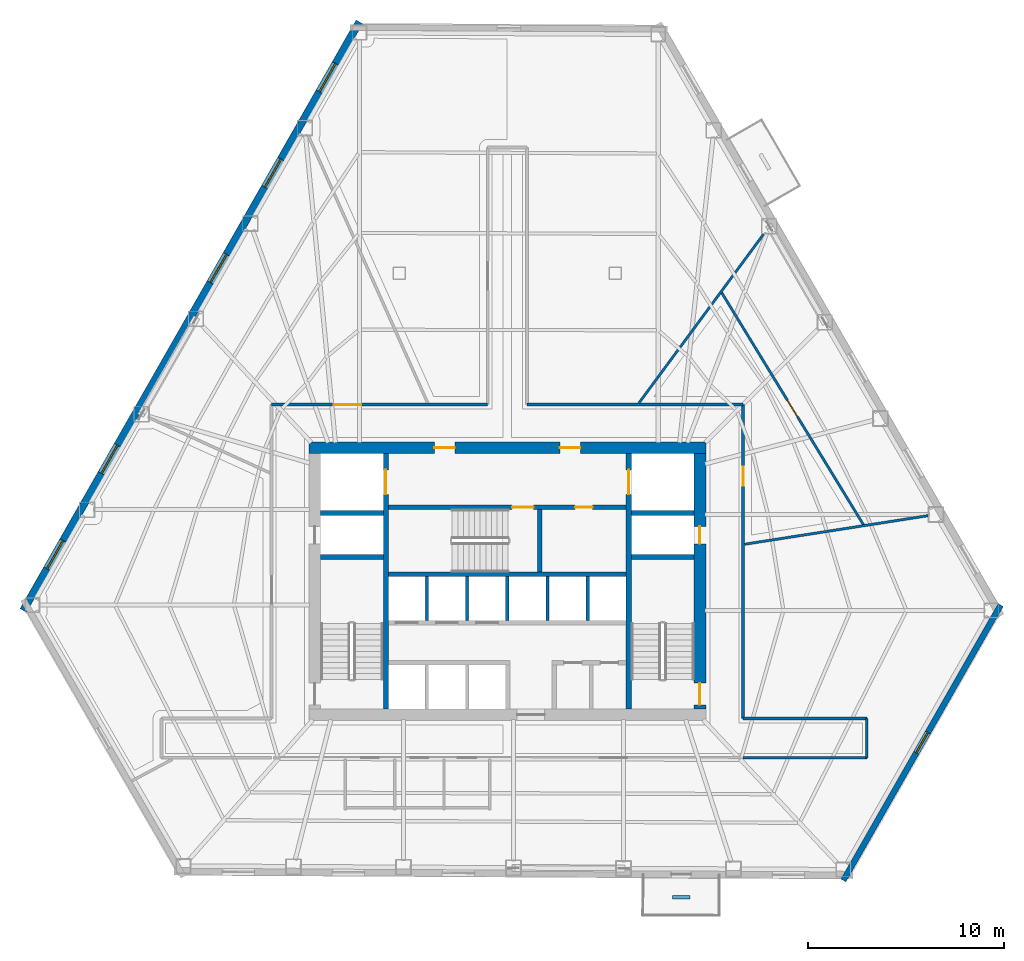
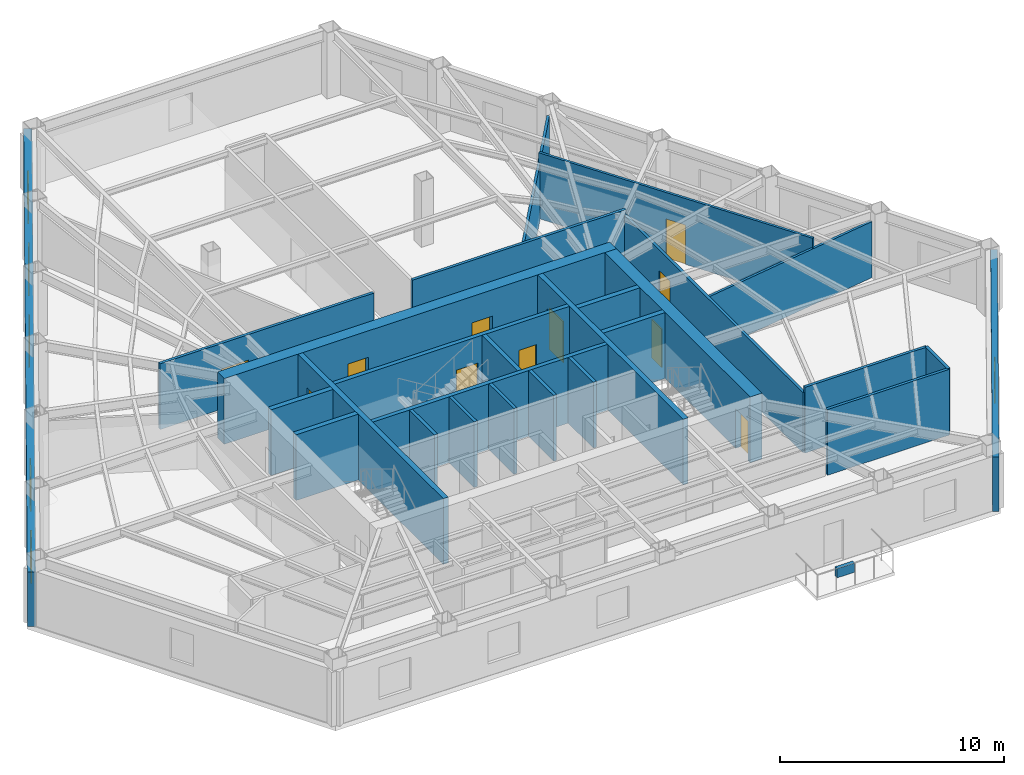
# One storey, part 7 of 12: 28 walls, 11 doors, 6 windows, 17 openings.
"""IFC4 building model written with IfcOpenShell, lengths in metres."""

from ifc_helpers import new_model, si_unit, direction, frame, frame_2d, origin, place, context, subcontext, project, spatial, rectangle, extrude, material, layer, layer_set, type_object, element, fill, save


model = new_model("IFC4")

# Units and contexts
model_context = context("Model", 3, precision=1e-05, world=origin(), true_north=direction((0.0, 1.0)))
body_context = subcontext(model_context, "Body", "Model", "MODEL_VIEW")
ifc_project = project(units=[si_unit("LENGTHUNIT", "METRE"), si_unit("AREAUNIT", "SQUARE_METRE"), si_unit("VOLUMEUNIT", "CUBIC_METRE"), si_unit("PLANEANGLEUNIT", "RADIAN"), si_unit("MASSUNIT", "GRAM", prefix="KILO")], contexts=[model_context])

# Site, building, storey
site_placement = place(None, origin())
site = spatial("IfcSite", under=ifc_project, at=site_placement, CompositionType="ELEMENT")
building_placement = place(site_placement, origin())
building = spatial("IfcBuilding", under=site, at=building_placement, Name="Kavelnor Concourse Tower", CompositionType="ELEMENT")
storey_placement = place(building_placement, frame((0.0, 0.0, 40.64990234375)))
storey = spatial("IfcBuildingStorey", under=building, at=storey_placement, Name="L10", CompositionType="ELEMENT", Elevation=40.64990234375)

# Wall, openings, doors
ifc_material_1 = material(Name="Concrete C60/75", Category="concrete")
ifc_layer_1 = layer(ifc_material_1, 0.60009765625, Name="Concrete C60/75")
ifc_layer_set_1 = layer_set([ifc_layer_1], Name="Concrete C60/75")
wall_type_1 = type_object("IfcWallType", Name="WL-CORE-Z1-600", PredefinedType="SOLIDWALL", material=ifc_layer_set_1)
wall_1_placement = place(storey_placement, frame((27.8798828125, 22.89990234375, 0.0), z_axis=(0.0, 0.0, 1.0), x_axis=(1.0, 0.0, 0.0)))
wall_1 = element("IfcWall", 1, at=wall_1_placement, inside=storey, type_object=wall_type_1, Name="L10 Central Core North Shear Wall", PredefinedType="SOLIDWALL", context=body_context, shape_type="SweptSolid", body=[
    extrude(rectangle(XDim=20.240234375, YDim=0.60009765625, at=frame_2d((10.1201171875, 0.0))), origin(), (0.0, 0.0, 1.0), 3.590087890625),
])
opening_1_placement = place(wall_1_placement, frame((6.39501953125, 0.0, 0.0)))
opening_1 = element("IfcOpeningElement", 2, at=opening_1_placement, cuts=wall_1, Name="Opening FD-105", PredefinedType="OPENING", context=body_context, shape_type="SweptSolid", body=[
    extrude(rectangle(XDim=1.050048828125, YDim=2.14990234375, at=frame_2d((0.52490234375, 1.074951171875))), frame((0.0, 0.31005859375, 0.0), z_axis=(0.0, -1.0, 0.0), x_axis=(1.0, 0.0, 0.0)), (0.0, 0.0, 1.0), 0.6201171875),
])
opening_2_placement = place(wall_1_placement, frame((12.794921875, 0.0, 0.0)))
opening_2 = element("IfcOpeningElement", 3, at=opening_2_placement, cuts=wall_1, Name="Opening FD-105", PredefinedType="OPENING", context=body_context, shape_type="SweptSolid", body=[
    extrude(rectangle(XDim=1.050048828125, YDim=2.14990234375, at=frame_2d((0.52490234375, 1.074951171875))), frame((0.0, 0.31005859375, 0.0), z_axis=(0.0, -1.0, 0.0), x_axis=(1.0, 0.0, 0.0)), (0.0, 0.0, 1.0), 0.6201171875),
])
ifc_material_2 = material(Name="Steel Grade 350", Category="steel")
door_type_1 = type_object("IfcDoorType", Name="DR-LOBBY-FIRE-1050", OperationType="NOTDEFINED", PredefinedType="DOOR", material=ifc_material_2)
door_1_placement = place(opening_1_placement, origin())
door_1 = element("IfcDoor", 4, at=door_1_placement, inside=storey, type_object=door_type_1, Name="L10 Emergency Lift Lobby West Door", OperationType="SINGLE_SWING_LEFT", OverallHeight=2.14990234375, OverallWidth=1.050048828125, PredefinedType="DOOR", context=body_context, shape_type="SweptSolid", body=[
    extrude(rectangle(XDim=1.050048828125, YDim=2.14990234375, at=frame_2d((0.52490234375, 1.074951171875))), frame((0.0, 0.02490234375, 0.0), z_axis=(0.0, -1.0, 0.0), x_axis=(1.0, 0.0, 0.0)), (0.0, 0.0, 1.0), 0.050048828125),
])
fill(opening_1, door_1)
door_2_placement = place(opening_2_placement, origin())
door_2 = element("IfcDoor", 5, at=door_2_placement, inside=storey, type_object=door_type_1, Name="L10 Emergency Lift Lobby East Door", OperationType="SINGLE_SWING_RIGHT", OverallHeight=2.14990234375, OverallWidth=1.050048828125, PredefinedType="DOOR", context=body_context, shape_type="SweptSolid", body=[
    extrude(rectangle(XDim=1.050048828125, YDim=2.14990234375, at=frame_2d((0.52490234375, 1.074951171875))), frame((0.0, 0.02490234375, 0.0), z_axis=(0.0, -1.0, 0.0), x_axis=(1.0, 0.0, 0.0)), (0.0, 0.0, 1.0), 0.050048828125),
])
fill(opening_2, door_2)

wall_2_placement = place(storey_placement, frame((47.820068359375, 9.60009765625, 0.0), z_axis=(0.0, 0.0, 1.0), x_axis=(0.0, 1.0, 0.0)))
wall_2 = element("IfcWall", 6, at=wall_2_placement, inside=storey, type_object=wall_type_1, Name="L10 Central Core East Shear Wall", PredefinedType="SOLIDWALL", context=body_context, shape_type="SweptSolid", body=[
    extrude(rectangle(XDim=13.0, YDim=0.60009765625, at=frame_2d((6.5, 0.0))), origin(), (0.0, 0.0, 1.0), 3.590087890625),
])
opening_3_placement = place(wall_2_placement, frame((0.199951171875, 0.0, 0.0)))
opening_3 = element("IfcOpeningElement", 7, at=opening_3_placement, cuts=wall_2, Name="Opening FD-110", PredefinedType="OPENING", context=body_context, shape_type="SweptSolid", body=[
    extrude(rectangle(XDim=1.10009765625, YDim=2.14990234375, at=frame_2d((0.550048828125, 1.074951171875))), frame((0.0, 0.31005859375, 0.0), z_axis=(0.0, -1.0, 0.0), x_axis=(1.0, 0.0, 0.0)), (0.0, 0.0, 1.0), 0.6201171875),
])
opening_4_placement = place(wall_2_placement, frame((8.39990234375, 0.0, 0.0)))
opening_4 = element("IfcOpeningElement", 8, at=opening_4_placement, cuts=wall_2, Name="Opening FD-090", PredefinedType="OPENING", context=body_context, shape_type="SweptSolid", body=[
    extrude(rectangle(XDim=0.89990234375, YDim=2.10009765625, at=frame_2d((0.449951171875, 1.050048828125))), frame((0.0, 0.31005859375, 0.0), z_axis=(0.0, -1.0, 0.0), x_axis=(1.0, 0.0, 0.0)), (0.0, 0.0, 1.0), 0.6201171875),
])
door_type_2 = type_object("IfcDoorType", Name="DR-RISER-FIRE-900", OperationType="NOTDEFINED", PredefinedType="DOOR", material=ifc_material_2)
door_3_placement = place(opening_4_placement, origin())
door_3 = element("IfcDoor", 9, at=door_3_placement, inside=storey, type_object=door_type_2, Name="L10 East Riser Access Door", OperationType="SINGLE_SWING_LEFT", OverallHeight=2.10009765625, OverallWidth=0.89990234375, PredefinedType="DOOR", context=body_context, shape_type="SweptSolid", body=[
    extrude(rectangle(XDim=0.89990234375, YDim=2.10009765625, at=frame_2d((0.449951171875, 1.050048828125))), frame((0.0, 0.02490234375, 0.0), z_axis=(0.0, -1.0, 0.0), x_axis=(1.0, 0.0, 0.0)), (0.0, 0.0, 1.0), 0.050048828125),
])
fill(opening_4, door_3)
door_type_3 = type_object("IfcDoorType", Name="DR-STAIR-FIRE-1100", OperationType="NOTDEFINED", PredefinedType="DOOR", material=ifc_material_2)
door_4_placement = place(opening_3_placement, origin())
door_4 = element("IfcDoor", 10, at=door_4_placement, inside=storey, type_object=door_type_3, Name="L10 Stair ST2 Fire Door", OperationType="SINGLE_SWING_RIGHT", OverallHeight=2.14990234375, OverallWidth=1.10009765625, PredefinedType="DOOR", context=body_context, shape_type="SweptSolid", body=[
    extrude(rectangle(XDim=1.10009765625, YDim=2.14990234375, at=frame_2d((0.550048828125, 1.074951171875))), frame((0.0, 0.02490234375, 0.0), z_axis=(0.0, -1.0, 0.0), x_axis=(1.0, 0.0, 0.0)), (0.0, 0.0, 1.0), 0.050048828125),
])
fill(opening_3, door_4)

# Wall, opening, window
ifc_material_3 = material(Name="Buff ironspot clay face brick masonry", Category="masonry")
ifc_layer_2 = layer(ifc_material_3, 0.300048828125, Name="Buff ironspot clay face brick masonry")
ifc_layer_set_2 = layer_set([ifc_layer_2], Name="Buff ironspot clay face brick masonry")
wall_type_2 = type_object("IfcWallType", Name="WL-EXT-BUFF-BRICK-FOLD-300", PredefinedType="STANDARD", material=ifc_layer_set_2)
wall_3_placement = place(storey_placement, frame((63.150390625, 14.8896484375, 0.0), z_axis=(0.0, 0.0, 1.0), x_axis=(-0.495908066063, -0.868375028437, 0.0)))
wall_3 = element("IfcWall", 11, at=wall_3_placement, inside=storey, type_object=wall_type_2, Name="L10 Exterior Brick Facade Wall E4", PredefinedType="STANDARD", context=body_context, shape_type="SweptSolid", body=[
    extrude(rectangle(XDim=16.17236328125, YDim=0.300048828125, at=frame_2d((8.086181640625, 0.0))), origin(), (0.0, 0.0, 1.0), 2.97021484375),
])
opening_5_placement = place(wall_3_placement, frame((7.486083984375, 0.0, 0.64990234375)))
opening_5 = element("IfcOpeningElement", 12, at=opening_5_placement, cuts=wall_3, Name="Opening W-05", PredefinedType="OPENING", context=body_context, shape_type="SweptSolid", body=[
    extrude(rectangle(XDim=1.199951171875, YDim=1.699951171875, at=frame_2d((0.60009765625, 0.85009765625))), frame((0.0, 0.16015625, 0.0), z_axis=(0.0, -1.0, 0.0), x_axis=(1.0, 0.0, 0.0)), (0.0, 0.0, 1.0), 0.320068359375),
])
ifc_material_4 = material(Name="Double low-E argon insulated glazing", Category="glass")
window_type_1 = type_object("IfcWindowType", Name="WIN-FOLD-1200", PartitioningType="SINGLE_PANEL", PredefinedType="WINDOW", material=ifc_material_4)
window_1_placement = place(opening_5_placement, origin())
window_1 = element("IfcWindow", 13, at=window_1_placement, inside=storey, type_object=window_type_1, Name="L10 Chamfer-Fold Facet Window C2", OverallHeight=1.699951171875, OverallWidth=1.199951171875, PartitioningType="SINGLE_PANEL", PredefinedType="WINDOW", context=body_context, shape_type="SweptSolid", body=[
    extrude(rectangle(XDim=1.199951171875, YDim=1.699951171875, at=frame_2d((0.60009765625, 0.85009765625))), frame((0.0, 0.030029296875, 0.0), z_axis=(0.0, -1.0, 0.0), x_axis=(1.0, 0.0, 0.0)), (0.0, 0.0, 1.0), 0.06005859375),
])
fill(opening_5, window_1)

# Wall, openings, windows
ifc_material_5 = material(Name="Red-ochre clay face brick masonry", Category="masonry")
ifc_layer_3 = layer(ifc_material_5, 0.3798828125, Name="Red-ochre clay face brick masonry")
ifc_layer_set_3 = layer_set([ifc_layer_3], Name="Red-ochre clay face brick masonry")
wall_type_3 = type_object("IfcWallType", Name="WL-EXT-RED-BRICK-PIER-380", PredefinedType="STANDARD", material=ifc_layer_set_3)
wall_4_placement = place(storey_placement, frame((13.324462890625, 14.608154296875, 0.0), z_axis=(0.0, 0.0, 1.0), x_axis=(0.495909124573, 0.868374423947, 0.0)))
wall_4 = element("IfcWall", 14, at=wall_4_placement, inside=storey, type_object=wall_type_3, Name="L10 Exterior Brick Facade Wall E1", PredefinedType="STANDARD", context=body_context, shape_type="SweptSolid", body=[
    extrude(rectangle(XDim=34.55322265625, YDim=0.3798828125, at=frame_2d((17.276611328125, 0.0))), origin(), (0.0, 0.0, 1.0), 2.97021484375),
])
opening_6_placement = place(wall_4_placement, frame((30.4482421875, 0.0, 0.64990234375)))
opening_6 = element("IfcOpeningElement", 15, at=opening_6_placement, cuts=wall_4, Name="Opening W-01", PredefinedType="OPENING", context=body_context, shape_type="SweptSolid", body=[
    extrude(rectangle(XDim=1.64990234375, YDim=1.75, at=frame_2d((0.824951171875, 0.875))), frame((0.0, 0.199951171875, 0.0), z_axis=(0.0, -1.0, 0.0), x_axis=(1.0, 0.0, 0.0)), (0.0, 0.0, 1.0), 0.39990234375),
])
opening_7_placement = place(wall_4_placement, frame((24.8486328125, 0.0, 0.64990234375)))
opening_7 = element("IfcOpeningElement", 16, at=opening_7_placement, cuts=wall_4, Name="Opening W-01", PredefinedType="OPENING", context=body_context, shape_type="SweptSolid", body=[
    extrude(rectangle(XDim=1.64990234375, YDim=1.75, at=frame_2d((0.824951171875, 0.875))), frame((0.0, 0.199951171875, 0.0), z_axis=(0.0, -1.0, 0.0), x_axis=(1.0, 0.0, 0.0)), (0.0, 0.0, 1.0), 0.39990234375),
])
opening_8_placement = place(wall_4_placement, frame((19.2490234375, 0.0, 0.64990234375)))
opening_8 = element("IfcOpeningElement", 17, at=opening_8_placement, cuts=wall_4, Name="Opening W-01", PredefinedType="OPENING", context=body_context, shape_type="SweptSolid", body=[
    extrude(rectangle(XDim=1.64990234375, YDim=1.75, at=frame_2d((0.824951171875, 0.875))), frame((0.0, 0.199951171875, 0.0), z_axis=(0.0, -1.0, 0.0), x_axis=(1.0, 0.0, 0.0)), (0.0, 0.0, 1.0), 0.39990234375),
])
opening_9_placement = place(wall_4_placement, frame((8.050048828125, 0.0, 0.64990234375)))
opening_9 = element("IfcOpeningElement", 18, at=opening_9_placement, cuts=wall_4, Name="Opening W-01", PredefinedType="OPENING", context=body_context, shape_type="SweptSolid", body=[
    extrude(rectangle(XDim=1.64990234375, YDim=1.75, at=frame_2d((0.824951171875, 0.875))), frame((0.0, 0.199951171875, 0.0), z_axis=(0.0, -1.0, 0.0), x_axis=(1.0, 0.0, 0.0)), (0.0, 0.0, 1.0), 0.39990234375),
])
opening_10_placement = place(wall_4_placement, frame((2.45068359375, 0.0, 0.64990234375)))
opening_10 = element("IfcOpeningElement", 19, at=opening_10_placement, cuts=wall_4, Name="Opening W-01", PredefinedType="OPENING", context=body_context, shape_type="SweptSolid", body=[
    extrude(rectangle(XDim=1.64990234375, YDim=1.75, at=frame_2d((0.824951171875, 0.875))), frame((0.0, 0.199951171875, 0.0), z_axis=(0.0, -1.0, 0.0), x_axis=(1.0, 0.0, 0.0)), (0.0, 0.0, 1.0), 0.39990234375),
])
window_type_2 = type_object("IfcWindowType", Name="WIN-PIER-Z1-1800", PartitioningType="SINGLE_PANEL", PredefinedType="WINDOW", material=ifc_material_4)
window_2_placement = place(opening_6_placement, origin())
window_2 = element("IfcWindow", 20, at=window_2_placement, inside=storey, type_object=window_type_2, Name="L10 Deep-Set Brick Pier Window F0-B0", OverallHeight=1.75, OverallWidth=1.64990234375, PartitioningType="SINGLE_PANEL", PredefinedType="WINDOW", context=body_context, shape_type="SweptSolid", body=[
    extrude(rectangle(XDim=1.64990234375, YDim=1.75, at=frame_2d((0.824951171875, 0.875))), frame((0.0, 0.030029296875, 0.0), z_axis=(0.0, -1.0, 0.0), x_axis=(1.0, 0.0, 0.0)), (0.0, 0.0, 1.0), 0.06005859375),
])
fill(opening_6, window_2)
window_3_placement = place(opening_7_placement, origin())
window_3 = element("IfcWindow", 21, at=window_3_placement, inside=storey, type_object=window_type_2, Name="L10 Deep-Set Brick Pier Window F0-B1", OverallHeight=1.75, OverallWidth=1.64990234375, PartitioningType="SINGLE_PANEL", PredefinedType="WINDOW", context=body_context, shape_type="SweptSolid", body=[
    extrude(rectangle(XDim=1.64990234375, YDim=1.75, at=frame_2d((0.824951171875, 0.875))), frame((0.0, 0.030029296875, 0.0), z_axis=(0.0, -1.0, 0.0), x_axis=(1.0, 0.0, 0.0)), (0.0, 0.0, 1.0), 0.06005859375),
])
fill(opening_7, window_3)
window_4_placement = place(opening_8_placement, origin())
window_4 = element("IfcWindow", 22, at=window_4_placement, inside=storey, type_object=window_type_2, Name="L10 Deep-Set Brick Pier Window F0-B2", OverallHeight=1.75, OverallWidth=1.64990234375, PartitioningType="SINGLE_PANEL", PredefinedType="WINDOW", context=body_context, shape_type="SweptSolid", body=[
    extrude(rectangle(XDim=1.64990234375, YDim=1.75, at=frame_2d((0.824951171875, 0.875))), frame((0.0, 0.030029296875, 0.0), z_axis=(0.0, -1.0, 0.0), x_axis=(1.0, 0.0, 0.0)), (0.0, 0.0, 1.0), 0.06005859375),
])
fill(opening_8, window_4)
window_5_placement = place(opening_9_placement, origin())
window_5 = element("IfcWindow", 23, at=window_5_placement, inside=storey, type_object=window_type_2, Name="L10 Deep-Set Brick Pier Window F0-B4", OverallHeight=1.75, OverallWidth=1.64990234375, PartitioningType="SINGLE_PANEL", PredefinedType="WINDOW", context=body_context, shape_type="SweptSolid", body=[
    extrude(rectangle(XDim=1.64990234375, YDim=1.75, at=frame_2d((0.824951171875, 0.875))), frame((0.0, 0.030029296875, 0.0), z_axis=(0.0, -1.0, 0.0), x_axis=(1.0, 0.0, 0.0)), (0.0, 0.0, 1.0), 0.06005859375),
])
fill(opening_9, window_5)
window_6_placement = place(opening_10_placement, origin())
window_6 = element("IfcWindow", 24, at=window_6_placement, inside=storey, type_object=window_type_2, Name="L10 Deep-Set Brick Pier Window F0-B5", OverallHeight=1.75, OverallWidth=1.64990234375, PartitioningType="SINGLE_PANEL", PredefinedType="WINDOW", context=body_context, shape_type="SweptSolid", body=[
    extrude(rectangle(XDim=1.64990234375, YDim=1.75, at=frame_2d((0.824951171875, 0.875))), frame((0.0, 0.030029296875, 0.0), z_axis=(0.0, -1.0, 0.0), x_axis=(1.0, 0.0, 0.0)), (0.0, 0.0, 1.0), 0.06005859375),
])
fill(opening_10, window_6)

# Wall, opening, door
ifc_material_6 = material(Name="Gypsum plasterboard on light-gauge steel studs", Category="steel")
ifc_layer_4 = layer(ifc_material_6, 0.14501953125, Name="Gypsum plasterboard on light-gauge steel studs")
ifc_layer_set_4 = layer_set([ifc_layer_4], Name="Gypsum plasterboard on light-gauge steel studs")
wall_type_4 = type_object("IfcWallType", Name="WL-INT-CORR-145", PredefinedType="PARTITIONING", material=ifc_layer_set_4)
wall_5_placement = place(storey_placement, frame((25.97998046875, 25.10009765625, 0.0), z_axis=(0.0, 0.0, 1.0), x_axis=(1.0, 0.0, 0.0)))
wall_5 = element("IfcWall", 25, at=wall_5_placement, inside=storey, type_object=wall_type_4, Name="L10 Corridor Wall WL-L10-CR-03", PredefinedType="PARTITIONING", context=body_context, shape_type="SweptSolid", body=[
    extrude(rectangle(XDim=11.02001953125, YDim=0.14501953125, at=frame_2d((5.510009765625, 0.0))), origin(), (0.0, 0.0, 1.0), 3.590087890625),
])
opening_11_placement = place(wall_5_placement, frame((3.16650390625, 0.0, 0.0)))
opening_11 = element("IfcOpeningElement", 26, at=opening_11_placement, cuts=wall_5, Name="Opening SD-140", PredefinedType="OPENING", context=body_context, shape_type="SweptSolid", body=[
    extrude(rectangle(XDim=1.39990234375, YDim=2.199951171875, at=frame_2d((0.699951171875, 1.10009765625))), frame((0.0, 0.08251953125, 0.0), z_axis=(0.0, -1.0, 0.0), x_axis=(1.0, 0.0, 0.0)), (0.0, 0.0, 1.0), 0.1650390625),
])
ifc_material_7 = material(Name="Solid-core hardwood timber", Category="wood")
door_type_4 = type_object("IfcDoorType", Name="DR-SUITE-ENTRY-1400", OperationType="NOTDEFINED", PredefinedType="DOOR", material=ifc_material_7)
door_5_placement = place(opening_11_placement, origin())
door_5 = element("IfcDoor", 27, at=door_5_placement, inside=storey, type_object=door_type_4, Name="L10 Architectural Design Studio 04 Door", OperationType="SINGLE_SWING_LEFT", OverallHeight=2.199951171875, OverallWidth=1.39990234375, PredefinedType="DOOR", context=body_context, shape_type="SweptSolid", body=[
    extrude(rectangle(XDim=1.39990234375, YDim=2.199951171875, at=frame_2d((0.699951171875, 1.10009765625))), frame((0.0, 0.02490234375, 0.0), z_axis=(0.0, -1.0, 0.0), x_axis=(1.0, 0.0, 0.0)), (0.0, 0.0, 1.0), 0.050048828125),
])
fill(opening_11, door_5)

# Wall
wall_6_placement = place(storey_placement, frame((39.0, 25.10009765625, 0.0), z_axis=(0.0, 0.0, 1.0), x_axis=(1.0, 0.0, 0.0)))
element("IfcWall", 28, at=wall_6_placement, inside=storey, type_object=wall_type_4, Name="L10 Corridor Wall WL-L10-CR-07", PredefinedType="PARTITIONING", context=body_context, shape_type="SweptSolid", body=[
    extrude(rectangle(XDim=11.02001953125, YDim=0.14501953125, at=frame_2d((5.510009765625, 0.0))), origin(), (0.0, 0.0, 1.0), 3.590087890625),
])

# Wall, opening, door
wall_7_placement = place(storey_placement, frame((50.02001953125, 25.10009765625, 0.0), z_axis=(0.0, 0.0, 1.0), x_axis=(0.0, -1.0, 0.0)))
wall_7 = element("IfcWall", 29, at=wall_7_placement, inside=storey, type_object=wall_type_4, Name="L10 Corridor Wall WL-L10-CR-08", PredefinedType="PARTITIONING", context=body_context, shape_type="SweptSolid", body=[
    extrude(rectangle(XDim=16.0, YDim=0.14501953125, at=frame_2d((8.0, 0.0))), origin(), (0.0, 0.0, 1.0), 3.278076171875),
])
opening_12_placement = place(wall_7_placement, frame((3.152099609375, 0.0, 0.0)))
opening_12 = element("IfcOpeningElement", 30, at=opening_12_placement, cuts=wall_7, Name="Opening OD-098", PredefinedType="OPENING", context=body_context, shape_type="SweptSolid", body=[
    extrude(rectangle(XDim=0.97998046875, YDim=2.14990234375, at=frame_2d((0.489990234375, 1.074951171875))), frame((0.0, 0.08251953125, 0.0), z_axis=(0.0, -1.0, 0.0), x_axis=(1.0, 0.0, 0.0)), (0.0, 0.0, 1.0), 0.1650390625),
])
door_type_5 = type_object("IfcDoorType", Name="DR-OFFICE-980", OperationType="NOTDEFINED", PredefinedType="DOOR", material=ifc_material_7)
door_6_placement = place(opening_12_placement, origin())
door_6 = element("IfcDoor", 31, at=door_6_placement, inside=storey, type_object=door_type_5, Name="L10 Architectural Design Studio 01 Door", OperationType="SINGLE_SWING_RIGHT", OverallHeight=2.14990234375, OverallWidth=0.97998046875, PredefinedType="DOOR", context=body_context, shape_type="SweptSolid", body=[
    extrude(rectangle(XDim=0.97998046875, YDim=2.14990234375, at=frame_2d((0.489990234375, 1.074951171875))), frame((0.0, 0.02490234375, 0.0), z_axis=(0.0, -1.0, 0.0), x_axis=(1.0, 0.0, 0.0)), (0.0, 0.0, 1.0), 0.050048828125),
])
fill(opening_12, door_6)

# Walls
wall_8_placement = place(storey_placement, frame((50.02001953125, 9.10009765625, 0.0), z_axis=(0.0, 0.0, 1.0), x_axis=(1.0, 0.0, 0.0)))
element("IfcWall", 32, at=wall_8_placement, inside=storey, type_object=wall_type_4, Name="L10 Corridor Wall WL-L10-CR-09", PredefinedType="PARTITIONING", context=body_context, shape_type="SweptSolid", body=[
    extrude(rectangle(XDim=6.30029296875, YDim=0.14501953125, at=frame_2d((3.150146484375, 0.0))), origin(), (0.0, 0.0, 1.0), 3.590087890625),
])
wall_9_placement = place(storey_placement, frame((56.3203125, 9.10009765625, 0.0), z_axis=(0.0, 0.0, 1.0), x_axis=(0.0, -1.0, 0.0)))
element("IfcWall", 33, at=wall_9_placement, inside=storey, type_object=wall_type_4, Name="L10 Corridor Wall WL-L10-CR-10", PredefinedType="PARTITIONING", context=body_context, shape_type="SweptSolid", body=[
    extrude(rectangle(XDim=2.0, YDim=0.14501953125, at=frame_2d((1.0, 0.0))), origin(), (0.0, 0.0, 1.0), 3.590087890625),
])
wall_10_placement = place(storey_placement, frame((56.3203125, 7.10009765625, 0.0), z_axis=(0.0, 0.0, 1.0), x_axis=(-1.0, 0.0, 0.0)))
element("IfcWall", 34, at=wall_10_placement, inside=storey, type_object=wall_type_4, Name="L10 Corridor Wall WL-L10-CR-11", PredefinedType="PARTITIONING", context=body_context, shape_type="SweptSolid", body=[
    extrude(rectangle(XDim=6.30029296875, YDim=0.14501953125, at=frame_2d((3.150146484375, 0.0))), origin(), (0.0, 0.0, 1.0), 3.590087890625),
])
ifc_layer_5 = layer(ifc_material_6, 0.1650390625, Name="Gypsum plasterboard on light-gauge steel studs")
ifc_layer_set_5 = layer_set([ifc_layer_5], Name="Gypsum plasterboard on light-gauge steel studs")
wall_type_5 = type_object("IfcWallType", Name="WL-INT-FIRE-165", PredefinedType="PARTITIONING", material=ifc_layer_set_5)
for number, where, z_axis, x_axis, name in (
    (35, (33.89990234375, 14.10009765625, 0.0), (0.0, 0.0, 1.0), (0.0, 1.0, 0.0), "L10 Lift Shaft Divider LP1"),
    (36, (35.949951171875, 14.10009765625, 0.0), (0.0, 0.0, 1.0), (0.0, 1.0, 0.0), "L10 Lift Shaft Divider LP2"),
    (37, (38.0, 14.10009765625, 0.0), (0.0, 0.0, 1.0), (0.0, 1.0, 0.0), "L10 Lift Shaft Divider LP3"),
    (38, (40.050048828125, 14.10009765625, 0.0), (0.0, 0.0, 1.0), (0.0, 1.0, 0.0), "L10 Lift Shaft Divider LP4"),
    (39, (42.10009765625, 14.10009765625, 0.0), (0.0, 0.0, 1.0), (0.0, 1.0, 0.0), "L10 Lift Shaft Divider LP5"),
):
    element("IfcWall", number, at=place(storey_placement, frame(where, z_axis=z_axis, x_axis=x_axis)), inside=storey, type_object=wall_type_5, Name=name, PredefinedType="PARTITIONING", context=body_context, shape_type="SweptSolid", body=[
        extrude(rectangle(XDim=2.239990234375, YDim=0.1650390625, at=frame_2d((1.1201171875, 0.0))), origin(), (0.0, 0.0, 1.0), 3.590087890625),
    ])
ifc_layer_6 = layer(ifc_material_6, 0.125, Name="Gypsum plasterboard on light-gauge steel studs")
ifc_layer_set_6 = layer_set([ifc_layer_6], Name="Gypsum plasterboard on light-gauge steel studs")
wall_type_6 = type_object("IfcWallType", Name="WL-INT-SUITE-125", PredefinedType="PARTITIONING", material=ifc_layer_set_6)
wall_11_placement = place(storey_placement, frame((50.1005859375, 17.98583984375, 0.0), z_axis=(0.0, 0.0, 1.0), x_axis=(0.988074242468, 0.153978217199, 0.0)))
element("IfcWall", 40, at=wall_11_placement, inside=storey, type_object=wall_type_6, Name="L10 Radial Suite Partition 01", PredefinedType="PARTITIONING", context=body_context, shape_type="SweptSolid", body=[
    extrude(rectangle(XDim=9.453125, YDim=0.125, at=frame_2d((4.7265625, 0.0))), origin(), (0.0, 0.0, 1.0), 3.05712890625),
])
wall_12_placement = place(storey_placement, frame((44.704345703125, 25.180419921875, 0.0), z_axis=(0.0, 0.0, 1.0), x_axis=(0.593980052091, 0.804479768371, 0.0)))
element("IfcWall", 41, at=wall_12_placement, inside=storey, type_object=wall_type_6, Name="L10 Radial Suite Partition 02", PredefinedType="PARTITIONING", context=body_context, shape_type="SweptSolid", body=[
    extrude(rectangle(XDim=10.691162109375, YDim=0.125, at=frame_2d((5.345703125, 0.0))), origin(), (0.0, 0.0, 1.0), 3.05712890625),
])

# Wall, opening, door
wall_13_placement = place(storey_placement, frame((56.17138671875, 18.947021484375, 0.0), z_axis=(0.0, 0.0, 1.0), x_axis=(-0.521265818692, 0.853394367373, 0.0)))
wall_13 = element("IfcWall", 42, at=wall_13_placement, inside=storey, type_object=wall_type_6, Name="L10 Suite Subdivision Partition 01", PredefinedType="PARTITIONING", context=body_context, shape_type="SweptSolid", body=[
    extrude(rectangle(XDim=13.940673828125, YDim=0.125, at=frame_2d((6.97021484375, 0.0))), origin(), (0.0, 0.0, 1.0), 3.590087890625),
])
opening_13_placement = place(wall_13_placement, frame((6.480712890625, 0.0, 0.0)))
opening_13 = element("IfcOpeningElement", 43, at=opening_13_placement, cuts=wall_13, Name="Opening OD-098", PredefinedType="OPENING", context=body_context, shape_type="SweptSolid", body=[
    extrude(rectangle(XDim=0.97998046875, YDim=2.14990234375, at=frame_2d((0.489990234375, 1.074951171875))), frame((0.0, 0.072509765625, 0.0), z_axis=(0.0, -1.0, 0.0), x_axis=(1.0, 0.0, 0.0)), (0.0, 0.0, 1.0), 0.14501953125),
])
door_7_placement = place(opening_13_placement, origin())
door_7 = element("IfcDoor", 44, at=door_7_placement, inside=storey, type_object=door_type_5, Name="L10 Staff Breakout Pantry 02 Door", OperationType="SINGLE_SWING_LEFT", OverallHeight=2.14990234375, OverallWidth=0.97998046875, PredefinedType="DOOR", context=body_context, shape_type="SweptSolid", body=[
    extrude(rectangle(XDim=0.97998046875, YDim=2.14990234375, at=frame_2d((0.489990234375, 1.074951171875))), frame((0.0, 0.02490234375, 0.0), z_axis=(0.0, -1.0, 0.0), x_axis=(1.0, 0.0, 0.0)), (0.0, 0.0, 1.0), 0.050048828125),
])
fill(opening_13, door_7)

# Wall
ifc_material_8 = material(Name="Architectural precast planter concrete C40/50", Category="concrete")
ifc_layer_7 = layer(ifc_material_8, 0.18994140625, Name="Architectural precast planter concrete C40/50")
ifc_layer_set_7 = layer_set([ifc_layer_7], Name="Architectural precast planter concrete C40/50")
wall_type_7 = type_object("IfcWallType", Name="WL-PLANTER-KERB-190", PredefinedType="USERDEFINED", material=ifc_layer_set_7)
wall_14_placement = place(storey_placement, frame((46.40673828125, -0.010009765625, 0.0), z_axis=(0.0, 0.0, 1.0), x_axis=(0.999985287918, -0.005424384529, 0.0)))
element("IfcWall", 45, at=wall_14_placement, inside=storey, type_object=wall_type_7, Name="L10 Tree Balcony 1 Tree Planter Kerb", ObjectType="PLANTER", PredefinedType="USERDEFINED", context=body_context, shape_type="SweptSolid", body=[
    extrude(rectangle(XDim=0.900146484375, YDim=0.18994140625, at=frame_2d((0.4501953125, 0.0))), origin(), (0.0, 0.0, 1.0), 0.5),
])

# Wall, openings, doors
ifc_material_9 = material(Name="Concrete C50/60", Category="concrete")
ifc_layer_8 = layer(ifc_material_9, 0.219970703125, Name="Concrete C50/60")
ifc_layer_set_8 = layer_set([ifc_layer_8], Name="Concrete C50/60")
wall_type_8 = type_object("IfcWallType", Name="WL-SHAFT-220", PredefinedType="SOLIDWALL", material=ifc_layer_set_8)
wall_15_placement = place(storey_placement, frame((31.93994140625, 19.8701171875, 0.0), z_axis=(0.0, 0.0, 1.0), x_axis=(1.0, 0.0, 0.0)))
wall_15 = element("IfcWall", 46, at=wall_15_placement, inside=storey, type_object=wall_type_8, Name="L10 Emergency Lift Lobby South Wall", PredefinedType="SOLIDWALL", context=body_context, shape_type="SweptSolid", body=[
    extrude(rectangle(XDim=12.1201171875, YDim=0.219970703125, at=frame_2d((6.06005859375, 0.0))), origin(), (0.0, 0.0, 1.0), 3.590087890625),
])
opening_14_placement = place(wall_15_placement, frame((6.300048828125, 0.0, 0.0)))
opening_14 = element("IfcOpeningElement", 47, at=opening_14_placement, cuts=wall_15, Name="Opening FD-110", PredefinedType="OPENING", context=body_context, shape_type="SweptSolid", body=[
    extrude(rectangle(XDim=1.10009765625, YDim=2.14990234375, at=frame_2d((0.550048828125, 1.074951171875))), frame((0.0, 0.1201171875, 0.0), z_axis=(0.0, -1.0, 0.0), x_axis=(1.0, 0.0, 0.0)), (0.0, 0.0, 1.0), 0.239990234375),
])
opening_15_placement = place(wall_15_placement, frame((9.510009765625, 0.0, 0.0)))
opening_15 = element("IfcOpeningElement", 48, at=opening_15_placement, cuts=wall_15, Name="Opening FD-090", PredefinedType="OPENING", context=body_context, shape_type="SweptSolid", body=[
    extrude(rectangle(XDim=0.89990234375, YDim=2.10009765625, at=frame_2d((0.449951171875, 1.050048828125))), frame((0.0, 0.1201171875, 0.0), z_axis=(0.0, -1.0, 0.0), x_axis=(1.0, 0.0, 0.0)), (0.0, 0.0, 1.0), 0.239990234375),
])
door_8_placement = place(opening_15_placement, origin())
door_8 = element("IfcDoor", 49, at=door_8_placement, inside=storey, type_object=door_type_2, Name="L10 Electrical Comms Door", OperationType="SINGLE_SWING_LEFT", OverallHeight=2.10009765625, OverallWidth=0.89990234375, PredefinedType="DOOR", context=body_context, shape_type="SweptSolid", body=[
    extrude(rectangle(XDim=0.89990234375, YDim=2.10009765625, at=frame_2d((0.449951171875, 1.050048828125))), frame((0.0, 0.02490234375, 0.0), z_axis=(0.0, -1.0, 0.0), x_axis=(1.0, 0.0, 0.0)), (0.0, 0.0, 1.0), 0.050048828125),
])
fill(opening_15, door_8)
door_9_placement = place(opening_14_placement, origin())
door_9 = element("IfcDoor", 50, at=door_9_placement, inside=storey, type_object=door_type_3, Name="L10 Stair ST3 Fire Door", OperationType="SINGLE_SWING_LEFT", OverallHeight=2.14990234375, OverallWidth=1.10009765625, PredefinedType="DOOR", context=body_context, shape_type="SweptSolid", body=[
    extrude(rectangle(XDim=1.10009765625, YDim=2.14990234375, at=frame_2d((0.550048828125, 1.074951171875))), frame((0.0, 0.02490234375, 0.0), z_axis=(0.0, -1.0, 0.0), x_axis=(1.0, 0.0, 0.0)), (0.0, 0.0, 1.0), 0.050048828125),
])
fill(opening_14, door_9)

# Walls
wall_16_placement = place(storey_placement, frame((31.93994140625, 16.449951171875, 0.0), z_axis=(0.0, 0.0, 1.0), x_axis=(1.0, 0.0, 0.0)))
element("IfcWall", 51, at=wall_16_placement, inside=storey, type_object=wall_type_8, Name="L10 Stair ST3 South Core Wall", PredefinedType="SOLIDWALL", context=body_context, shape_type="SweptSolid", body=[
    extrude(rectangle(XDim=12.1201171875, YDim=0.219970703125, at=frame_2d((6.06005859375, 0.0))), origin(), (0.0, 0.0, 1.0), 3.590087890625),
])
wall_17_placement = place(storey_placement, frame((39.64990234375, 16.56005859375, 0.0), z_axis=(0.0, 0.0, 1.0), x_axis=(0.0, 1.0, 0.0)))
element("IfcWall", 52, at=wall_17_placement, inside=storey, type_object=wall_type_8, Name="L10 Stair ST3 East Core Wall", PredefinedType="SOLIDWALL", context=body_context, shape_type="SweptSolid", body=[
    extrude(rectangle(XDim=3.199951171875, YDim=0.219970703125, at=frame_2d((1.60009765625, 0.0))), origin(), (0.0, 0.0, 1.0), 3.590087890625),
])

# Wall, opening, door
ifc_layer_9 = layer(ifc_material_9, 0.260009765625, Name="Concrete C50/60")
ifc_layer_set_9 = layer_set([ifc_layer_9], Name="Concrete C50/60")
wall_type_9 = type_object("IfcWallType", Name="WL-SHAFT-260", PredefinedType="SHEAR", material=ifc_layer_set_9)
wall_18_placement = place(storey_placement, frame((31.81005859375, 9.60009765625, 0.0), z_axis=(0.0, 0.0, 1.0), x_axis=(0.0, 1.0, 0.0)))
wall_18 = element("IfcWall", 53, at=wall_18_placement, inside=storey, type_object=wall_type_9, Name="L10 Core West Wing Shear Wall", PredefinedType="SHEAR", context=body_context, shape_type="SweptSolid", body=[
    extrude(rectangle(XDim=13.0, YDim=0.260009765625, at=frame_2d((6.5, 0.0))), origin(), (0.0, 0.0, 1.0), 3.590087890625),
])
opening_16_placement = place(wall_18_placement, frame((10.925048828125, 0.0, 0.0)))
opening_16 = element("IfcOpeningElement", 54, at=opening_16_placement, cuts=wall_18, Name="Opening LD-125", PredefinedType="OPENING", context=body_context, shape_type="SweptSolid", body=[
    extrude(rectangle(XDim=1.25, YDim=2.25, at=frame_2d((0.625, 1.125))), frame((0.0, 0.14013671875, 0.0), z_axis=(0.0, -1.0, 0.0), x_axis=(1.0, 0.0, 0.0)), (0.0, 0.0, 1.0), 0.280029296875),
])
door_type_6 = type_object("IfcDoorType", Name="DR-LIFT-SLIDING-1250", OperationType="NOTDEFINED", PredefinedType="DOOR", material=ifc_material_2)
door_10_placement = place(opening_16_placement, origin())
door_10 = element("IfcDoor", 55, at=door_10_placement, inside=storey, type_object=door_type_6, Name="L10 Emergency Lift FL1 Landing Door", OperationType="DOUBLE_DOOR_SLIDING", OverallHeight=2.25, OverallWidth=1.25, PredefinedType="DOOR", context=body_context, shape_type="SweptSolid", body=[
    extrude(rectangle(XDim=1.25, YDim=2.25, at=frame_2d((0.625, 1.125))), frame((0.0, 0.02490234375, 0.0), z_axis=(0.0, -1.0, 0.0), x_axis=(1.0, 0.0, 0.0)), (0.0, 0.0, 1.0), 0.050048828125),
])
fill(opening_16, door_10)

wall_19_placement = place(storey_placement, frame((44.18994140625, 9.60009765625, 0.0), z_axis=(0.0, 0.0, 1.0), x_axis=(0.0, 1.0, 0.0)))
wall_19 = element("IfcWall", 56, at=wall_19_placement, inside=storey, type_object=wall_type_9, Name="L10 Core East Wing Shear Wall", PredefinedType="SHEAR", context=body_context, shape_type="SweptSolid", body=[
    extrude(rectangle(XDim=13.0, YDim=0.260009765625, at=frame_2d((6.5, 0.0))), origin(), (0.0, 0.0, 1.0), 3.590087890625),
])
opening_17_placement = place(wall_19_placement, frame((10.925048828125, 0.0, 0.0)))
opening_17 = element("IfcOpeningElement", 57, at=opening_17_placement, cuts=wall_19, Name="Opening LD-125", PredefinedType="OPENING", context=body_context, shape_type="SweptSolid", body=[
    extrude(rectangle(XDim=1.25, YDim=2.25, at=frame_2d((0.625, 1.125))), frame((0.0, 0.14013671875, 0.0), z_axis=(0.0, -1.0, 0.0), x_axis=(1.0, 0.0, 0.0)), (0.0, 0.0, 1.0), 0.280029296875),
])
door_11_placement = place(opening_17_placement, origin())
door_11 = element("IfcDoor", 58, at=door_11_placement, inside=storey, type_object=door_type_6, Name="L10 Emergency Lift FL2 Landing Door", OperationType="DOUBLE_DOOR_SLIDING", OverallHeight=2.25, OverallWidth=1.25, PredefinedType="DOOR", context=body_context, shape_type="SweptSolid", body=[
    extrude(rectangle(XDim=1.25, YDim=2.25, at=frame_2d((0.625, 1.125))), frame((0.0, 0.02490234375, 0.0), z_axis=(0.0, -1.0, 0.0), x_axis=(1.0, 0.0, 0.0)), (0.0, 0.0, 1.0), 0.050048828125),
])
fill(opening_17, door_11)

# Walls
for number, where, z_axis, x_axis, name in (
    (59, (28.47998046875, 17.330078125, 0.0), (0.0, 0.0, 1.0), (1.0, 0.0, 0.0), "L10 Stair ST1 North Shaft Wall"),
    (60, (28.47998046875, 19.570068359375, 0.0), (0.0, 0.0, 1.0), (1.0, 0.0, 0.0), "L10 Emergency Lift FL1 South Shaft Wall"),
    (61, (44.320068359375, 17.330078125, 0.0), (0.0, 0.0, 1.0), (1.0, 0.0, 0.0), "L10 Stair ST2 North Shaft Wall"),
    (62, (44.320068359375, 19.570068359375, 0.0), (0.0, 0.0, 1.0), (1.0, 0.0, 0.0), "L10 Emergency Lift FL2 South Shaft Wall"),
):
    element("IfcWall", number, at=place(storey_placement, frame(where, z_axis=z_axis, x_axis=x_axis)), inside=storey, type_object=wall_type_9, Name=name, PredefinedType="SHEAR", context=body_context, shape_type="SweptSolid", body=[
        extrude(rectangle(XDim=3.199951171875, YDim=0.260009765625, at=frame_2d((1.60009765625, 0.0))), origin(), (0.0, 0.0, 1.0), 3.590087890625),
    ])

save(model, "model.ifc")
